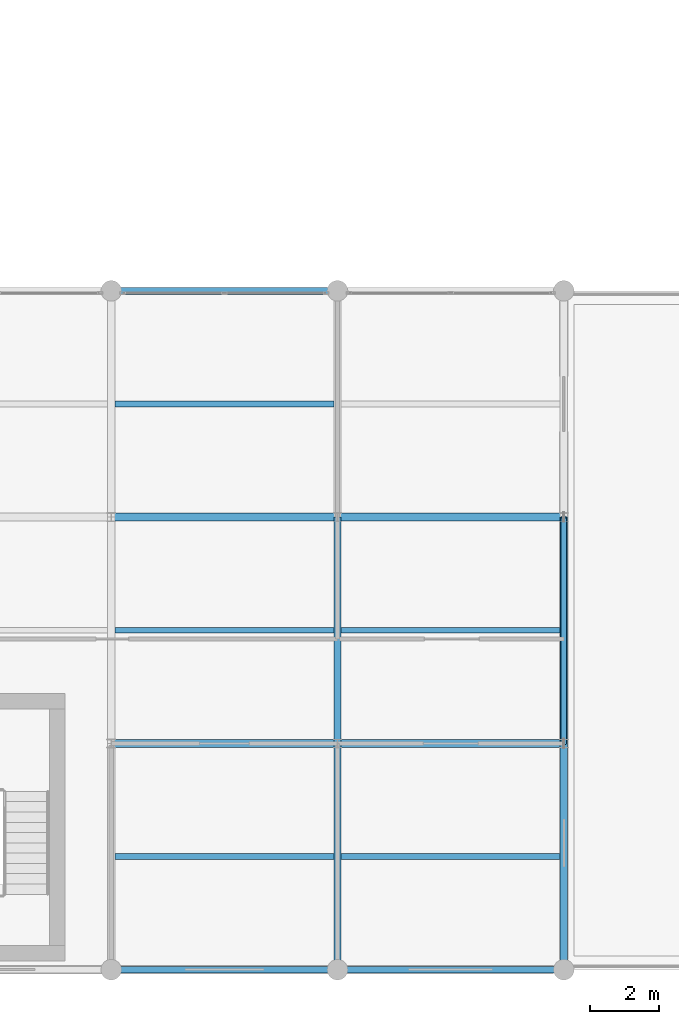
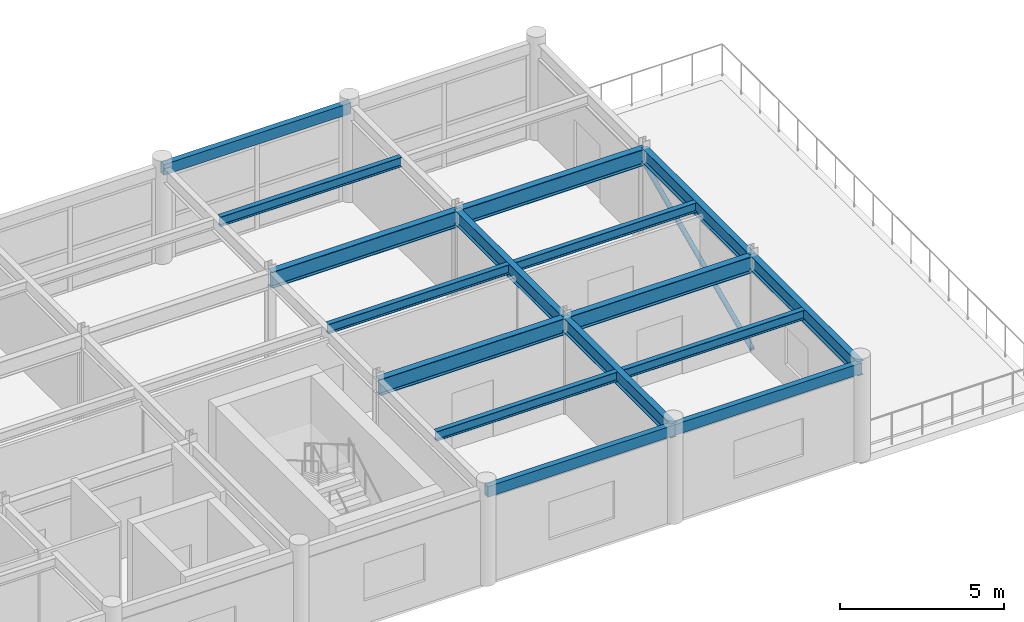
# One storey, part 13 of 28: 16 beams, 1 member.
"""IFC4 building model written with IfcOpenShell, lengths in metres."""

from ifc_helpers import new_model, si_unit, direction, frame, origin, origin_2d, place, context, subcontext, project, spatial, hollow_rectangle, hollow_circle, i_section, extrude, material, material_profile, profile_set, type_object, element, save


model = new_model("IFC4")

# Units and contexts
model_context = context("Model", 3, precision=1e-05, world=origin(), true_north=direction((0.0, 1.0)))
body_context = subcontext(model_context, "Body", "Model", "MODEL_VIEW")
ifc_project = project(units=[si_unit("LENGTHUNIT", "METRE"), si_unit("AREAUNIT", "SQUARE_METRE"), si_unit("VOLUMEUNIT", "CUBIC_METRE"), si_unit("PLANEANGLEUNIT", "RADIAN"), si_unit("MASSUNIT", "GRAM", prefix="KILO")], contexts=[model_context])

# Site, building, storey
site_placement = place(None, origin())
site = spatial("IfcSite", under=ifc_project, at=site_placement, CompositionType="ELEMENT")
building_placement = place(site_placement, origin())
building = spatial("IfcBuilding", under=site, at=building_placement, Name="Karori Crest Natural Sciences Institute", CompositionType="ELEMENT")
storey_placement = place(building_placement, frame((0.0, 0.0, 34.300048828125)))
storey = spatial("IfcBuildingStorey", under=building, at=storey_placement, Name="L08", CompositionType="ELEMENT", Elevation=34.300048828125)

# Beams
ifc_material_1 = material(Name="Structural steel AS/NZS 3679.1 Grade 350", Category="steel")
ifc_material_profile_1 = material_profile(ifc_material_1, i_section(OverallWidth=0.22900390625, OverallDepth=0.612060546875, WebThickness=0.011962890625, FlangeThickness=0.01953125, FilletRadius=0.013916015625, at=origin_2d()), Name="610UB125")
ifc_profile_set_1 = profile_set([ifc_material_profile_1], Name="Structural steel AS/NZS 3679.1 Grade 350")
beam_type_1 = type_object("IfcBeamType", Name="BT-04", PredefinedType="BEAM", material=ifc_profile_set_1)
beam_1_placement = place(storey_placement, frame((136.60009765625, 7.39990234375, 3.263916015625), z_axis=(1.0, 0.0, 0.0), x_axis=(0.0, 1.0, 0.0)))
element("IfcBeam", 1, at=beam_1_placement, inside=storey, type_object=beam_type_1, Name="Beam B-2705", PredefinedType="BEAM", context=body_context, shape_type="SweptSolid", body=[
    extrude(i_section(OverallWidth=0.22900390625, OverallDepth=0.612060546875, WebThickness=0.011962890625, FlangeThickness=0.01953125, FilletRadius=0.013916015625, at=origin_2d()), origin(), (0.0, 0.0, 1.0), 6.599853515625),
])
beam_2_placement = place(storey_placement, frame((143.199951171875, 7.39990234375, 3.263916015625), z_axis=(1.0, 0.0, 0.0), x_axis=(0.0, 1.0, 0.0)))
element("IfcBeam", 2, at=beam_2_placement, inside=storey, type_object=beam_type_1, Name="Beam B-2706", PredefinedType="BEAM", context=body_context, shape_type="SweptSolid", body=[
    extrude(i_section(OverallWidth=0.22900390625, OverallDepth=0.612060546875, WebThickness=0.011962890625, FlangeThickness=0.01953125, FilletRadius=0.013916015625, at=origin_2d()), origin(), (0.0, 0.0, 1.0), 6.60009765625),
])
beam_3_placement = place(storey_placement, frame((136.60009765625, 14.0, 3.263916015625), z_axis=(1.0, 0.0, 0.0), x_axis=(0.0, 1.0, 0.0)))
element("IfcBeam", 3, at=beam_3_placement, inside=storey, type_object=beam_type_1, Name="Beam B-2712", PredefinedType="BEAM", context=body_context, shape_type="SweptSolid", body=[
    extrude(i_section(OverallWidth=0.22900390625, OverallDepth=0.612060546875, WebThickness=0.011962890625, FlangeThickness=0.01953125, FilletRadius=0.013916015625, at=origin_2d()), origin(), (0.0, 0.0, 1.0), 6.599853515625),
])
beam_4_placement = place(storey_placement, frame((143.199951171875, 14.0, 3.263916015625), z_axis=(1.0, 0.0, 0.0), x_axis=(0.0, 1.0, 0.0)))
element("IfcBeam", 4, at=beam_4_placement, inside=storey, type_object=beam_type_1, Name="Beam B-2713", PredefinedType="BEAM", context=body_context, shape_type="SweptSolid", body=[
    extrude(i_section(OverallWidth=0.22900390625, OverallDepth=0.612060546875, WebThickness=0.011962890625, FlangeThickness=0.01953125, FilletRadius=0.013916015625, at=origin_2d()), origin(), (0.0, 0.0, 1.0), 6.60009765625),
])
ifc_material_profile_2 = material_profile(ifc_material_1, i_section(OverallWidth=0.208984375, OverallDepth=0.532958984375, WebThickness=0.01025390625, FlangeThickness=0.015625, FilletRadius=0.013916015625, at=origin_2d()), Name="530UB92.4")
ifc_profile_set_2 = profile_set([ifc_material_profile_2], Name="Structural steel AS/NZS 3679.1 Grade 350")
beam_type_2 = type_object("IfcBeamType", Name="BT-05", PredefinedType="BEAM", material=ifc_profile_set_2)
beam_5_placement = place(storey_placement, frame((143.199951171875, 0.800048828125, 3.303466796875), z_axis=(0.0, 1.0, 0.0), x_axis=(-1.0, 0.0, 0.0)))
element("IfcBeam", 5, at=beam_5_placement, inside=storey, type_object=beam_type_2, Name="Beam B-2739", PredefinedType="BEAM", context=body_context, shape_type="SweptSolid", body=[
    extrude(i_section(OverallWidth=0.208984375, OverallDepth=0.532958984375, WebThickness=0.01025390625, FlangeThickness=0.015625, FilletRadius=0.013916015625, at=origin_2d()), origin(), (0.0, 0.0, 1.0), 6.599853515625),
])
beam_6_placement = place(storey_placement, frame((143.199951171875, 7.39990234375, 3.303466796875), z_axis=(0.0, 1.0, 0.0), x_axis=(-1.0, 0.0, 0.0)))
element("IfcBeam", 6, at=beam_6_placement, inside=storey, type_object=beam_type_2, Name="Beam B-2740", PredefinedType="BEAM", context=body_context, shape_type="SweptSolid", body=[
    extrude(i_section(OverallWidth=0.208984375, OverallDepth=0.532958984375, WebThickness=0.01025390625, FlangeThickness=0.015625, FilletRadius=0.013916015625, at=origin_2d()), origin(), (0.0, 0.0, 1.0), 6.60009765625),
])
ifc_material_profile_3 = material_profile(ifc_material_1, i_section(OverallWidth=0.208984375, OverallDepth=0.532958984375, WebThickness=0.01025390625, FlangeThickness=0.015625, FilletRadius=0.013916015625, at=origin_2d()), Name="530UB92.4")
ifc_profile_set_3 = profile_set([ifc_material_profile_3], Name="Structural steel AS/NZS 3679.1 Grade 350")
beam_type_3 = type_object("IfcBeamType", Name="BT-05-EL", PredefinedType="BEAM", material=ifc_profile_set_3)
beam_7_placement = place(storey_placement, frame((149.800048828125, 0.800048828125, 3.303466796875), z_axis=(0.0, 1.0, 0.0), x_axis=(-1.0, 0.0, 0.0)))
element("IfcBeam", 7, at=beam_7_placement, inside=storey, type_object=beam_type_3, Name="Beam B-2742", PredefinedType="BEAM", context=body_context, shape_type="SweptSolid", body=[
    extrude(i_section(OverallWidth=0.208984375, OverallDepth=0.532958984375, WebThickness=0.01025390625, FlangeThickness=0.015625, FilletRadius=0.013916015625, at=origin_2d()), origin(), (0.0, 0.0, 1.0), 6.599853515625),
])
beam_8_placement = place(storey_placement, frame((149.800048828125, 7.39990234375, 3.303466796875), z_axis=(0.0, 1.0, 0.0), x_axis=(-1.0, 0.0, 0.0)))
element("IfcBeam", 8, at=beam_8_placement, inside=storey, type_object=beam_type_3, Name="Beam B-2743", PredefinedType="BEAM", context=body_context, shape_type="SweptSolid", body=[
    extrude(i_section(OverallWidth=0.208984375, OverallDepth=0.532958984375, WebThickness=0.01025390625, FlangeThickness=0.015625, FilletRadius=0.013916015625, at=origin_2d()), origin(), (0.0, 0.0, 1.0), 6.60009765625),
])
ifc_material_profile_4 = material_profile(ifc_material_1, i_section(OverallWidth=0.172119140625, OverallDepth=0.35888671875, WebThickness=0.008056640625, FlangeThickness=0.012939453125, FilletRadius=0.010986328125, at=origin_2d()), Name="360UB56.7")
ifc_profile_set_4 = profile_set([ifc_material_profile_4], Name="Structural steel AS/NZS 3679.1 Grade 350")
beam_type_4 = type_object("IfcBeamType", Name="BT-08", PredefinedType="BEAM", material=ifc_profile_set_4)
for number, where, z_axis, x_axis, name in (
    (9, (136.70458984375, 4.10009765625, 3.390380859375), (1.0, 0.0, 0.0), (0.0, 1.0, 0.0), "Beam B-2756"),
    (10, (136.70458984375, 10.699951171875, 3.390380859375), (1.0, 0.0, 0.0), (0.0, 1.0, 0.0), "Beam B-2757"),
    (11, (136.70458984375, 17.300048828125, 3.390380859375), (1.0, 0.0, 0.0), (0.0, 1.0, 0.0), "Beam B-2758"),
):
    element("IfcBeam", number, at=place(storey_placement, frame(where, z_axis=z_axis, x_axis=x_axis)), inside=storey, type_object=beam_type_4, Name=name, PredefinedType="BEAM", context=body_context, shape_type="SweptSolid", body=[
        extrude(i_section(OverallWidth=0.172119140625, OverallDepth=0.35888671875, WebThickness=0.008056640625, FlangeThickness=0.012939453125, FilletRadius=0.010986328125, at=origin_2d()), origin(), (0.0, 0.0, 1.0), 6.390869140625),
    ])
for number, where, z_axis, x_axis, name in (
    (12, (143.304443359375, 4.10009765625, 3.390380859375), (1.0, 0.0, 0.0), (0.0, 1.0, 0.0), "Beam B-2759"),
    (13, (143.304443359375, 10.699951171875, 3.390380859375), (1.0, 0.0, 0.0), (0.0, 1.0, 0.0), "Beam B-2760"),
):
    element("IfcBeam", number, at=place(storey_placement, frame(where, z_axis=z_axis, x_axis=x_axis)), inside=storey, type_object=beam_type_4, Name=name, PredefinedType="BEAM", context=body_context, shape_type="SweptSolid", body=[
        extrude(i_section(OverallWidth=0.172119140625, OverallDepth=0.35888671875, WebThickness=0.008056640625, FlangeThickness=0.012939453125, FilletRadius=0.010986328125, at=origin_2d()), origin(), (0.0, 0.0, 1.0), 6.39111328125),
    ])
ifc_material_2 = material(Name="Hollow structural steel AS/NZS 1163 Grade C350", Category="steel")
ifc_material_profile_5 = material_profile(ifc_material_2, hollow_rectangle(XDim=0.199951171875, YDim=0.39990234375, WallThickness=0.012451171875, at=origin_2d()), Name="RHS400x200x12.5")
ifc_profile_set_5 = profile_set([ifc_material_profile_5], Name="Hollow structural steel AS/NZS 1163 Grade C350")
beam_type_5 = type_object("IfcBeamType", Name="BT-14", PredefinedType="SPANDREL", material=ifc_profile_set_5)
beam_9_placement = place(storey_placement, frame((136.60009765625, 0.800048828125, 3.369873046875), z_axis=(1.0, 0.0, 0.0), x_axis=(0.0, 1.0, 0.0)))
element("IfcBeam", 14, at=beam_9_placement, inside=storey, type_object=beam_type_5, Name="Beam B-2700", PredefinedType="SPANDREL", context=body_context, shape_type="SweptSolid", body=[
    extrude(hollow_rectangle(XDim=0.199951171875, YDim=0.39990234375, WallThickness=0.012451171875, at=origin_2d()), origin(), (0.0, 0.0, 1.0), 6.599853515625),
])
beam_10_placement = place(storey_placement, frame((143.199951171875, 0.800048828125, 3.369873046875), z_axis=(1.0, 0.0, 0.0), x_axis=(0.0, 1.0, 0.0)))
element("IfcBeam", 15, at=beam_10_placement, inside=storey, type_object=beam_type_5, Name="Beam B-2701", PredefinedType="SPANDREL", context=body_context, shape_type="SweptSolid", body=[
    extrude(hollow_rectangle(XDim=0.199951171875, YDim=0.39990234375, WallThickness=0.012451171875, at=origin_2d()), origin(), (0.0, 0.0, 1.0), 6.60009765625),
])
beam_11_placement = place(storey_placement, frame((136.60009765625, 20.60009765625, 3.369873046875), z_axis=(1.0, 0.0, 0.0), x_axis=(0.0, 1.0, 0.0)))
element("IfcBeam", 16, at=beam_11_placement, inside=storey, type_object=beam_type_5, Name="Beam B-2719", PredefinedType="SPANDREL", context=body_context, shape_type="SweptSolid", body=[
    extrude(hollow_rectangle(XDim=0.199951171875, YDim=0.39990234375, WallThickness=0.012451171875, at=origin_2d()), origin(), (0.0, 0.0, 1.0), 6.599853515625),
])

# Member
ifc_material_profile_6 = material_profile(ifc_material_2, hollow_circle(Radius=0.084228515625, WallThickness=0.007080078125, at=origin_2d()), Name="CHS168.3x7.1")
ifc_profile_set_6 = profile_set([ifc_material_profile_6], Name="Hollow structural steel AS/NZS 1163 Grade C350")
member_type = type_object("IfcMemberType", Name="MT-03", PredefinedType="BRACE", material=ifc_profile_set_6)
member_placement = place(storey_placement, frame((149.800048828125, 7.39990234375, 0.010009765625), z_axis=(0.0, 0.912543210458, 0.408980303984), x_axis=(-1.0, 0.0, 0.0)))
element("IfcMember", 17, at=member_placement, inside=storey, type_object=member_type, Name="Diagonal Brace M-0456", PredefinedType="BRACE", context=body_context, shape_type="SweptSolid", body=[
    extrude(hollow_circle(Radius=0.084228515625, WallThickness=0.007080078125, at=origin_2d()), origin(), (0.0, 0.0, 1.0), 7.232666015625),
])

save(model, "model.ifc")
